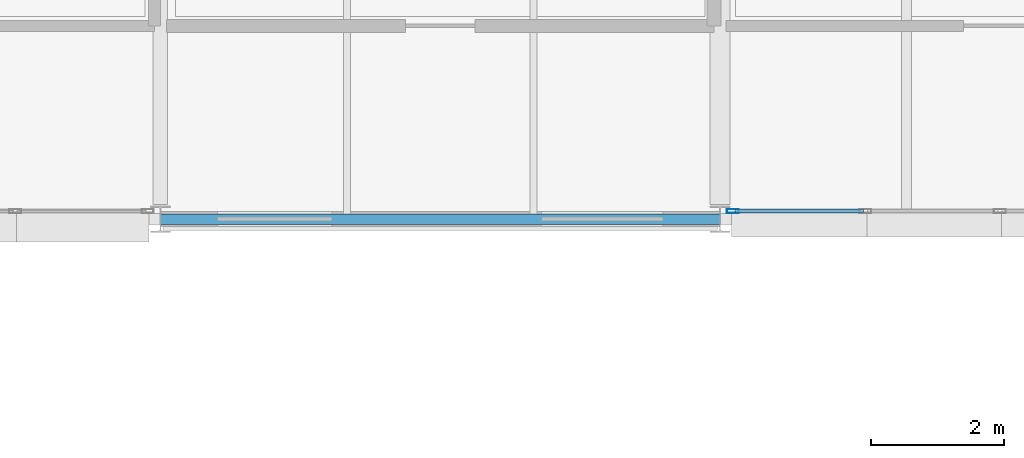
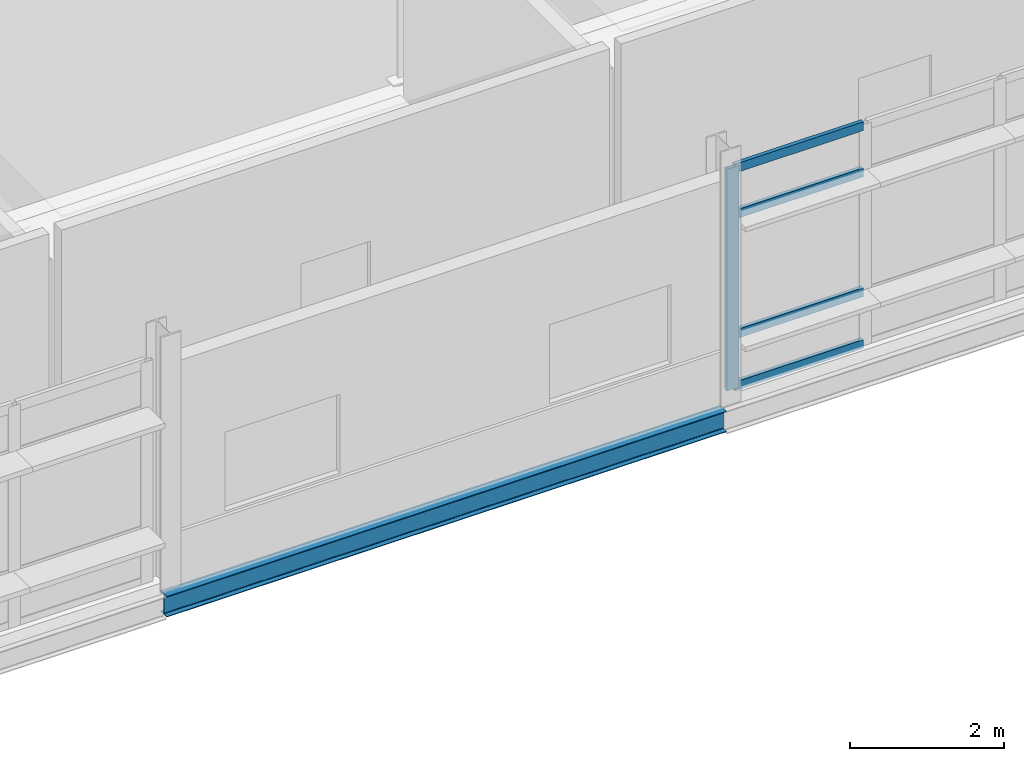
# One storey, part 25 of 66: 5 members, 1 beam, 1 element without a shape of its own.
"""IFC4 building model written with IfcOpenShell, lengths in metres."""

from ifc_helpers import new_model, si_unit, direction, frame, origin, origin_2d, place, context, subcontext, project, spatial, hollow_rectangle, i_section, extrude, material, material_profile, profile_set, type_object, element, aggregate, save


model = new_model("IFC4")

# Units and contexts
model_context = context("Model", 3, precision=1e-05, world=origin(), true_north=direction((0.0, 1.0)))
body_context = subcontext(model_context, "Body", "Model", "MODEL_VIEW")
ifc_project = project(units=[si_unit("LENGTHUNIT", "METRE"), si_unit("AREAUNIT", "SQUARE_METRE"), si_unit("VOLUMEUNIT", "CUBIC_METRE"), si_unit("PLANEANGLEUNIT", "RADIAN"), si_unit("MASSUNIT", "GRAM", prefix="KILO")], contexts=[model_context])

# Site, building, storey
site_placement = place(None, origin())
site = spatial("IfcSite", under=ifc_project, at=site_placement, CompositionType="ELEMENT")
building_placement = place(site_placement, origin())
building = spatial("IfcBuilding", under=site, at=building_placement, Name="Mersafa Astral City Hall", CompositionType="ELEMENT")
storey_placement = place(building_placement, frame((0.0, 0.0, 22.050048828125)))
storey = spatial("IfcBuildingStorey", under=building, at=storey_placement, Name="L05", CompositionType="ELEMENT", Elevation=22.050048828125)

# Curtain wall, members
ifc_material_1 = material(Name="Anodised bronze aluminium framing", Category="aluminium")
curtain_wall_type = type_object("IfcCurtainWallType", Name="ENV-CW-2", PredefinedType="USERDEFINED", material=ifc_material_1)
curtain_wall_placement = place(storey_placement, origin())
curtain_wall = element("IfcCurtainWall", 1, at=curtain_wall_placement, inside=storey, type_object=curtain_wall_type, Name="L05 Unitised solar curtain wall 241", ObjectType="UNITISED CURTAIN WALL", PredefinedType="USERDEFINED")
ifc_material_profile_1 = material_profile(ifc_material_1, hollow_rectangle(XDim=0.06005859375, YDim=0.179931640625, WallThickness=0.00390625, at=origin_2d()), Name="RHS 60x180x4")
ifc_profile_set_1 = profile_set([ifc_material_profile_1], Name="Anodised bronze aluminium framing")
member_type_1 = type_object("IfcMemberType", Name="ENV-CW-MUL-1", PredefinedType="MULLION", material=ifc_profile_set_1)
member_1_placement = place(storey_placement, frame((134.592041015625, 117.719970703125, -0.001953125), z_axis=(0.0, 0.0, 1.0), x_axis=(0.0, 1.0, 0.0)))
member_1 = element("IfcMember", 2, at=member_1_placement, type_object=member_type_1, Name="CW-2 mullion 1", PredefinedType="MULLION", context=body_context, shape_type="SweptSolid", body=[
    extrude(hollow_rectangle(XDim=0.06005859375, YDim=0.179931640625, WallThickness=0.00390625, at=origin_2d()), origin(), (0.0, 0.0, 1.0), 3.513916015625),
])
ifc_material_profile_2 = material_profile(ifc_material_1, hollow_rectangle(XDim=0.06005859375, YDim=0.139892578125, WallThickness=0.00390625, at=origin_2d()), Name="RHS 60x140x4")
ifc_profile_set_2 = profile_set([ifc_material_profile_2], Name="Anodised bronze aluminium framing")
member_type_2 = type_object("IfcMemberType", Name="ENV-CW-TRN-1", PredefinedType="USERDEFINED", material=ifc_profile_set_2)
member_2_placement = place(storey_placement, frame((134.6220703125, 117.719970703125, 0.02783203125), z_axis=(1.0, 0.0, 0.0), x_axis=(0.0, 1.0, 0.0)))
member_2 = element("IfcMember", 3, at=member_2_placement, type_object=member_type_2, Name="CW-2 transom 1.1", ObjectType="TRANSOM", PredefinedType="USERDEFINED", context=body_context, shape_type="SweptSolid", body=[
    extrude(hollow_rectangle(XDim=0.06005859375, YDim=0.139892578125, WallThickness=0.00390625, at=origin_2d()), origin(), (0.0, 0.0, 1.0), 1.928955078125),
])
member_3_placement = place(storey_placement, frame((134.6220703125, 117.719970703125, 0.849853515625), z_axis=(1.0, 0.0, 0.0), x_axis=(0.0, 1.0, 0.0)))
member_3 = element("IfcMember", 4, at=member_3_placement, type_object=member_type_2, Name="CW-2 transom 1.2", ObjectType="TRANSOM", PredefinedType="USERDEFINED", context=body_context, shape_type="SweptSolid", body=[
    extrude(hollow_rectangle(XDim=0.06005859375, YDim=0.139892578125, WallThickness=0.00390625, at=origin_2d()), origin(), (0.0, 0.0, 1.0), 1.928955078125),
])
member_4_placement = place(storey_placement, frame((134.6220703125, 117.719970703125, 2.75), z_axis=(1.0, 0.0, 0.0), x_axis=(0.0, 1.0, 0.0)))
member_4 = element("IfcMember", 5, at=member_4_placement, type_object=member_type_2, Name="CW-2 transom 1.3", ObjectType="TRANSOM", PredefinedType="USERDEFINED", context=body_context, shape_type="SweptSolid", body=[
    extrude(hollow_rectangle(XDim=0.06005859375, YDim=0.139892578125, WallThickness=0.00390625, at=origin_2d()), origin(), (0.0, 0.0, 1.0), 1.928955078125),
])
member_5_placement = place(storey_placement, frame((134.6220703125, 117.719970703125, 3.48193359375), z_axis=(1.0, 0.0, 0.0), x_axis=(0.0, 1.0, 0.0)))
member_5 = element("IfcMember", 6, at=member_5_placement, type_object=member_type_2, Name="CW-2 transom 1.4", ObjectType="TRANSOM", PredefinedType="USERDEFINED", context=body_context, shape_type="SweptSolid", body=[
    extrude(hollow_rectangle(XDim=0.06005859375, YDim=0.139892578125, WallThickness=0.00390625, at=origin_2d()), origin(), (0.0, 0.0, 1.0), 1.928955078125),
])
aggregate(curtain_wall, [member_1, member_2, member_3, member_4, member_5])

# Beam
ifc_material_2 = material(Name="Steel S355", Category="steel")
ifc_material_profile_3 = material_profile(ifc_material_2, i_section(OverallWidth=0.159912109375, OverallDepth=0.330078125, WebThickness=0.007568359375, FlangeThickness=0.011474609375, FilletRadius=0.01806640625, at=origin_2d()), Name="IPE 330")
ifc_profile_set_3 = profile_set([ifc_material_profile_3], Name="Steel S355")
beam_type = type_object("IfcBeamType", Name="STR-BM-SPANDREL-IPE330", PredefinedType="SPANDREL", material=ifc_profile_set_3)
beam_placement = place(storey_placement, frame((126.0029296875, 117.60009765625, -0.344970703125), z_axis=(1.0, 0.0, 0.0), x_axis=(0.0, 1.0, 0.0)))
element("IfcBeam", 7, at=beam_placement, inside=storey, type_object=beam_type, Name="L05 Primary girder X 15-14", PredefinedType="SPANDREL", context=body_context, shape_type="SweptSolid", body=[
    extrude(i_section(OverallWidth=0.159912109375, OverallDepth=0.330078125, WebThickness=0.007568359375, FlangeThickness=0.011474609375, FilletRadius=0.01806640625, at=origin_2d()), origin(), (0.0, 0.0, 1.0), 8.39404296875),
])

save(model, "model.ifc")
